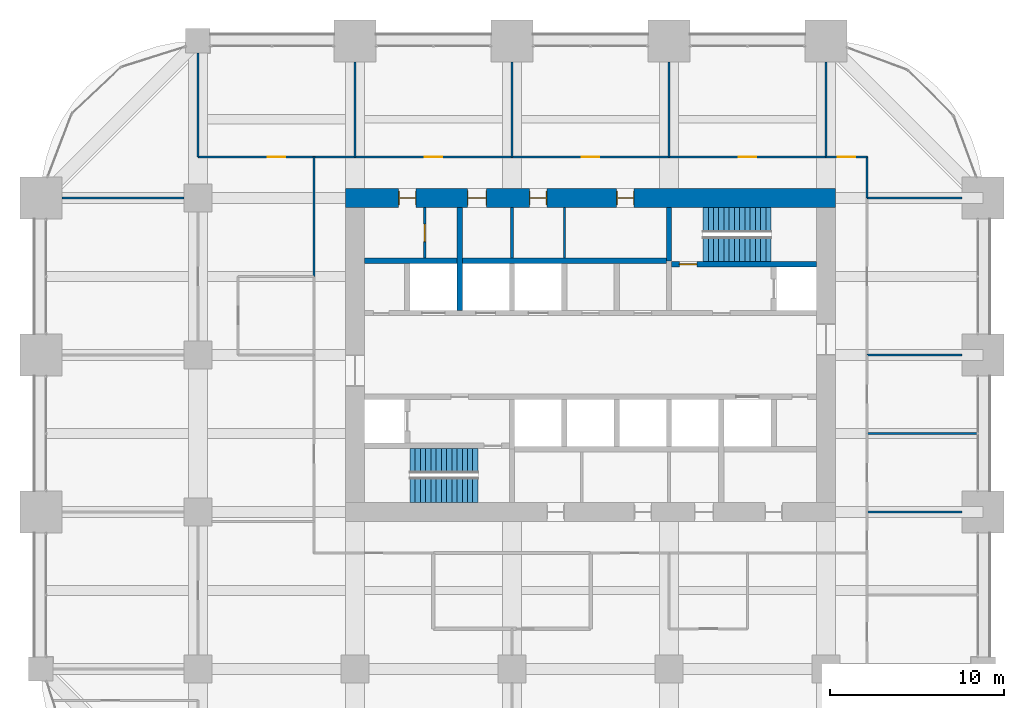
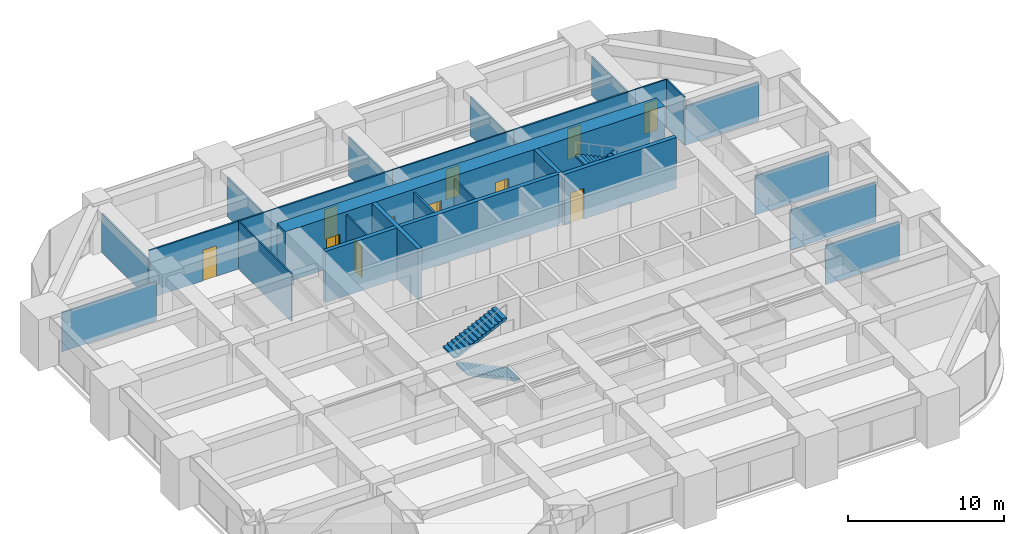
# One storey, part 31 of 32: 25 walls, 11 doors, 4 stair flights, 11 openings, 2 elements without a shape of their own.
"""IFC4 building model written with IfcOpenShell, lengths in metres."""

from ifc_helpers import new_model, si_unit, direction, frame, frame_2d, origin, place, context, subcontext, project, spatial, polyline, rectangle, outline, extrude, material, layer, layer_set, type_object, element, fill, aggregate, save


model = new_model("IFC4")

# Units and contexts
model_context = context("Model", 3, precision=1e-05, world=origin(), true_north=direction((0.0, 1.0)))
body_context = subcontext(model_context, "Body", "Model", "MODEL_VIEW")
ifc_project = project(units=[si_unit("LENGTHUNIT", "METRE"), si_unit("AREAUNIT", "SQUARE_METRE"), si_unit("VOLUMEUNIT", "CUBIC_METRE"), si_unit("PLANEANGLEUNIT", "RADIAN"), si_unit("MASSUNIT", "GRAM", prefix="KILO")], contexts=[model_context])

# Site, building, storey
site_placement = place(None, origin())
site = spatial("IfcSite", under=ifc_project, at=site_placement, CompositionType="ELEMENT")
building_placement = place(site_placement, origin())
building = spatial("IfcBuilding", under=site, at=building_placement, Name="Zorevar Civic Tower", CompositionType="ELEMENT")
storey_placement = place(building_placement, frame((0.0, 0.0, 186.199951171875)))
storey = spatial("IfcBuildingStorey", under=building, at=storey_placement, Name="L45", CompositionType="ELEMENT", Elevation=186.199951171875)

# Wall, openings, doors
ifc_material_1 = material(Name="Concrete C50/60", Category="concrete")
ifc_layer_1 = layer(ifc_material_1, 1.10009765625)
ifc_layer_set_1 = layer_set([ifc_layer_1], Name="Core wall 1100")
wall_type_1 = type_object("IfcWallType", Name="Core wall 1100", PredefinedType="SHEAR", material=ifc_layer_set_1)
wall_1_placement = place(storey_placement, frame((45.550048828125, 36.0, 0.0), z_axis=(0.0, 0.0, 1.0), x_axis=(-1.0, 0.0, 0.0)))
wall_1 = element("IfcWall", 1, at=wall_1_placement, inside=storey, type_object=wall_type_1, Name="Core wall N L45", PredefinedType="SHEAR", context=body_context, shape_type="SweptSolid", body=[
    extrude(rectangle(XDim=28.10009765625, YDim=1.10009765625, at=frame_2d((14.050048828125, 0.0))), origin(), (0.0, 0.0, 1.0), 4.0),
])
opening_1_placement = place(wall_1_placement, frame((11.550048828125, 0.0, 0.0)))
opening_1 = element("IfcOpeningElement", 2, at=opening_1_placement, cuts=wall_1, Name="Opening L45.07", PredefinedType="OPENING", context=body_context, shape_type="SweptSolid", body=[
    extrude(rectangle(XDim=1.0, YDim=2.39990234375, at=frame_2d((0.5, 1.199951171875))), frame((0.0, 0.56005859375, 0.0), z_axis=(0.0, -1.0, 0.0), x_axis=(1.0, 0.0, 0.0)), (0.0, 0.0, 1.0), 1.1201171875),
])
opening_2_placement = place(wall_1_placement, frame((16.550048828125, 0.0, 0.0)))
opening_2 = element("IfcOpeningElement", 3, at=opening_2_placement, cuts=wall_1, Name="Opening L45.08", PredefinedType="OPENING", context=body_context, shape_type="SweptSolid", body=[
    extrude(rectangle(XDim=1.0, YDim=2.39990234375, at=frame_2d((0.5, 1.199951171875))), frame((0.0, 0.56005859375, 0.0), z_axis=(0.0, -1.0, 0.0), x_axis=(1.0, 0.0, 0.0)), (0.0, 0.0, 1.0), 1.1201171875),
])
opening_3_placement = place(wall_1_placement, frame((20.0, 0.0, 0.0)))
opening_3 = element("IfcOpeningElement", 4, at=opening_3_placement, cuts=wall_1, Name="Opening L45.09", PredefinedType="OPENING", context=body_context, shape_type="SweptSolid", body=[
    extrude(rectangle(XDim=1.10009765625, YDim=2.39990234375, at=frame_2d((0.550048828125, 1.199951171875))), frame((0.0, 0.56005859375, 0.0), z_axis=(0.0, -1.0, 0.0), x_axis=(1.0, 0.0, 0.0)), (0.0, 0.0, 1.0), 1.1201171875),
])
opening_4_placement = place(wall_1_placement, frame((24.050048828125, 0.0, 0.0)))
opening_4 = element("IfcOpeningElement", 5, at=opening_4_placement, cuts=wall_1, Name="Opening L45.10", PredefinedType="OPENING", context=body_context, shape_type="SweptSolid", body=[
    extrude(rectangle(XDim=1.0, YDim=2.39990234375, at=frame_2d((0.5, 1.199951171875))), frame((0.0, 0.56005859375, 0.0), z_axis=(0.0, -1.0, 0.0), x_axis=(1.0, 0.0, 0.0)), (0.0, 0.0, 1.0), 1.1201171875),
])
ifc_material_2 = material(Name="Timber door set", Category="wood")
door_type_1 = type_object("IfcDoorType", Name="Door D1 1000x2400", OperationType="SINGLE_SWING_LEFT", PredefinedType="DOOR", material=ifc_material_2)
door_1_placement = place(opening_1_placement, origin())
door_1 = element("IfcDoor", 6, at=door_1_placement, inside=storey, type_object=door_type_1, Name="Door L45 06", OperationType="SINGLE_SWING_RIGHT", OverallHeight=2.39990234375, OverallWidth=1.0, PredefinedType="DOOR", context=body_context, shape_type="SweptSolid", body=[
    extrude(rectangle(XDim=1.0, YDim=2.39990234375, at=frame_2d((0.5, 1.199951171875))), frame((0.0, 0.02490234375, 0.0), z_axis=(0.0, -1.0, 0.0), x_axis=(1.0, 0.0, 0.0)), (0.0, 0.0, 1.0), 0.050048828125),
    extrude(rectangle(XDim=0.04, YDim=2.39990234375, at=frame_2d((0.02001953125, 1.199951171875))), frame((0.0, 0.39990234375, 0.0), z_axis=(0.0, -1.0, 0.0), x_axis=(1.0, 0.0, 0.0)), (0.0, 0.0, 1.0), 0.800048828125),
    extrude(rectangle(XDim=0.04, YDim=2.39990234375, at=frame_2d((0.97998046875, 1.199951171875))), frame((0.0, 0.39990234375, 0.0), z_axis=(0.0, -1.0, 0.0), x_axis=(1.0, 0.0, 0.0)), (0.0, 0.0, 1.0), 0.800048828125),
    extrude(rectangle(XDim=1.0, YDim=0.04, at=frame_2d((0.5, 2.3798828125))), frame((0.0, 0.39990234375, 0.0), z_axis=(0.0, -1.0, 0.0), x_axis=(1.0, 0.0, 0.0)), (0.0, 0.0, 1.0), 0.800048828125),
])
fill(opening_1, door_1)
door_2_placement = place(opening_2_placement, origin())
door_2 = element("IfcDoor", 7, at=door_2_placement, inside=storey, type_object=door_type_1, Name="Door L45 07", OperationType="SINGLE_SWING_LEFT", OverallHeight=2.39990234375, OverallWidth=1.0, PredefinedType="DOOR", context=body_context, shape_type="SweptSolid", body=[
    extrude(rectangle(XDim=1.0, YDim=2.39990234375, at=frame_2d((0.5, 1.199951171875))), frame((0.0, 0.02490234375, 0.0), z_axis=(0.0, -1.0, 0.0), x_axis=(1.0, 0.0, 0.0)), (0.0, 0.0, 1.0), 0.050048828125),
    extrude(rectangle(XDim=0.04, YDim=2.39990234375, at=frame_2d((0.02001953125, 1.199951171875))), frame((0.0, 0.39990234375, 0.0), z_axis=(0.0, -1.0, 0.0), x_axis=(1.0, 0.0, 0.0)), (0.0, 0.0, 1.0), 0.800048828125),
    extrude(rectangle(XDim=0.04, YDim=2.39990234375, at=frame_2d((0.97998046875, 1.199951171875))), frame((0.0, 0.39990234375, 0.0), z_axis=(0.0, -1.0, 0.0), x_axis=(1.0, 0.0, 0.0)), (0.0, 0.0, 1.0), 0.800048828125),
    extrude(rectangle(XDim=1.0, YDim=0.04, at=frame_2d((0.5, 2.3798828125))), frame((0.0, 0.39990234375, 0.0), z_axis=(0.0, -1.0, 0.0), x_axis=(1.0, 0.0, 0.0)), (0.0, 0.0, 1.0), 0.800048828125),
])
fill(opening_2, door_2)
door_3_placement = place(opening_4_placement, origin())
door_3 = element("IfcDoor", 8, at=door_3_placement, inside=storey, type_object=door_type_1, Name="Door L45 09", OperationType="SINGLE_SWING_LEFT", OverallHeight=2.39990234375, OverallWidth=1.0, PredefinedType="DOOR", context=body_context, shape_type="SweptSolid", body=[
    extrude(rectangle(XDim=1.0, YDim=2.39990234375, at=frame_2d((0.5, 1.199951171875))), frame((0.0, 0.02490234375, 0.0), z_axis=(0.0, -1.0, 0.0), x_axis=(1.0, 0.0, 0.0)), (0.0, 0.0, 1.0), 0.050048828125),
    extrude(rectangle(XDim=0.04, YDim=2.39990234375, at=frame_2d((0.02001953125, 1.199951171875))), frame((0.0, 0.39990234375, 0.0), z_axis=(0.0, -1.0, 0.0), x_axis=(1.0, 0.0, 0.0)), (0.0, 0.0, 1.0), 0.800048828125),
    extrude(rectangle(XDim=0.04, YDim=2.39990234375, at=frame_2d((0.97998046875, 1.199951171875))), frame((0.0, 0.39990234375, 0.0), z_axis=(0.0, -1.0, 0.0), x_axis=(1.0, 0.0, 0.0)), (0.0, 0.0, 1.0), 0.800048828125),
    extrude(rectangle(XDim=1.0, YDim=0.04, at=frame_2d((0.5, 2.3798828125))), frame((0.0, 0.39990234375, 0.0), z_axis=(0.0, -1.0, 0.0), x_axis=(1.0, 0.0, 0.0)), (0.0, 0.0, 1.0), 0.800048828125),
])
fill(opening_4, door_3)
ifc_material_3 = material(Name="Timber door set", Category="wood")
door_type_2 = type_object("IfcDoorType", Name="Door D5 1100x2400", OperationType="SINGLE_SWING_LEFT", PredefinedType="DOOR", material=ifc_material_3)
door_4_placement = place(opening_3_placement, origin())
door_4 = element("IfcDoor", 9, at=door_4_placement, inside=storey, type_object=door_type_2, Name="Door L45 08", OperationType="SINGLE_SWING_LEFT", OverallHeight=2.39990234375, OverallWidth=1.10009765625, PredefinedType="DOOR", context=body_context, shape_type="SweptSolid", body=[
    extrude(rectangle(XDim=1.10009765625, YDim=2.39990234375, at=frame_2d((0.550048828125, 1.199951171875))), frame((0.0, 0.02490234375, 0.0), z_axis=(0.0, -1.0, 0.0), x_axis=(1.0, 0.0, 0.0)), (0.0, 0.0, 1.0), 0.050048828125),
    extrude(rectangle(XDim=0.04, YDim=2.39990234375, at=frame_2d((0.02001953125, 1.199951171875))), frame((0.0, 0.43994140625, 0.0), z_axis=(0.0, -1.0, 0.0), x_axis=(1.0, 0.0, 0.0)), (0.0, 0.0, 1.0), 0.880126953125),
    extrude(rectangle(XDim=0.04, YDim=2.39990234375, at=frame_2d((1.080078125, 1.199951171875))), frame((0.0, 0.43994140625, 0.0), z_axis=(0.0, -1.0, 0.0), x_axis=(1.0, 0.0, 0.0)), (0.0, 0.0, 1.0), 0.880126953125),
    extrude(rectangle(XDim=1.10009765625, YDim=0.04, at=frame_2d((0.550048828125, 2.3798828125))), frame((0.0, 0.43994140625, 0.0), z_axis=(0.0, -1.0, 0.0), x_axis=(1.0, 0.0, 0.0)), (0.0, 0.0, 1.0), 0.880126953125),
])
fill(opening_3, door_4)

# Wall, opening, door
ifc_material_4 = material(Name="Laminated glass in black aluminium frame", Category="aluminium")
ifc_layer_2 = layer(ifc_material_4, 0.10009765625)
ifc_layer_set_2 = layer_set([ifc_layer_2], Name="Glazed partition 100")
wall_type_2 = type_object("IfcWallType", Name="Glazed partition 100", PredefinedType="PARTITIONING", material=ifc_layer_set_2)
wall_2_placement = place(storey_placement, frame((27.0, 38.35009765625, 0.0), z_axis=(0.0, 0.0, 1.0), x_axis=(1.0, 0.0, 0.0)))
wall_2 = element("IfcWall", 10, at=wall_2_placement, inside=storey, type_object=wall_type_2, Name="Glazed partition 100 L45", PredefinedType="PARTITIONING", context=body_context, shape_type="SweptSolid", body=[
    extrude(rectangle(XDim=9.0, YDim=0.10009765625, at=frame_2d((4.5, 0.0))), origin(), (0.0, 0.0, 1.0), 3.75),
])
opening_5_placement = place(wall_2_placement, frame((4.0, 0.0, 0.0)))
opening_5 = element("IfcOpeningElement", 11, at=opening_5_placement, cuts=wall_2, Name="Opening L45.25", PredefinedType="OPENING", context=body_context, shape_type="SweptSolid", body=[
    extrude(rectangle(XDim=1.0, YDim=2.39990234375, at=frame_2d((0.5, 1.199951171875))), frame((0.0, 0.06005859375, 0.0), z_axis=(0.0, -1.0, 0.0), x_axis=(1.0, 0.0, 0.0)), (0.0, 0.0, 1.0), 0.1201171875),
])
ifc_material_5 = material(Name="Timber door set", Category="wood")
door_type_3 = type_object("IfcDoorType", Name="Glazed door GD1 1000x2400", OperationType="SINGLE_SWING_LEFT", PredefinedType="DOOR", material=ifc_material_5)
door_5_placement = place(opening_5_placement, origin())
door_5 = element("IfcDoor", 12, at=door_5_placement, inside=storey, type_object=door_type_3, Name="Door L45 D1", OperationType="SINGLE_SWING_RIGHT", OverallHeight=2.39990234375, OverallWidth=1.0, PredefinedType="DOOR", context=body_context, shape_type="SweptSolid", body=[
    extrude(rectangle(XDim=1.0, YDim=2.39990234375, at=frame_2d((0.5, 1.199951171875))), frame((0.0, 0.02001953125, 0.0), z_axis=(0.0, -1.0, 0.0), x_axis=(1.0, 0.0, 0.0)), (0.0, 0.0, 1.0), 0.0400390625),
])
fill(opening_5, door_5)

wall_3_placement = place(storey_placement, frame((45.0, 38.35009765625, 0.0), z_axis=(0.0, 0.0, 1.0), x_axis=(1.0, 0.0, 0.0)))
wall_3 = element("IfcWall", 13, at=wall_3_placement, inside=storey, type_object=wall_type_2, Name="Glazed partition 100 L45", PredefinedType="PARTITIONING", context=body_context, shape_type="SweptSolid", body=[
    extrude(rectangle(XDim=2.35009765625, YDim=0.10009765625, at=frame_2d((1.175048828125, 0.0))), origin(), (0.0, 0.0, 1.0), 3.75),
])
opening_6_placement = place(wall_3_placement, frame((0.675048828125, 0.0, 0.0)))
opening_6 = element("IfcOpeningElement", 14, at=opening_6_placement, cuts=wall_3, Name="Opening L45.26", PredefinedType="OPENING", context=body_context, shape_type="SweptSolid", body=[
    extrude(rectangle(XDim=1.0, YDim=2.39990234375, at=frame_2d((0.5, 1.199951171875))), frame((0.0, 0.06005859375, 0.0), z_axis=(0.0, -1.0, 0.0), x_axis=(1.0, 0.0, 0.0)), (0.0, 0.0, 1.0), 0.1201171875),
])
door_6_placement = place(opening_6_placement, origin())
door_6 = element("IfcDoor", 15, at=door_6_placement, inside=storey, type_object=door_type_3, Name="Door L45 D1", OperationType="SINGLE_SWING_RIGHT", OverallHeight=2.39990234375, OverallWidth=1.0, PredefinedType="DOOR", context=body_context, shape_type="SweptSolid", body=[
    extrude(rectangle(XDim=1.0, YDim=2.39990234375, at=frame_2d((0.5, 1.199951171875))), frame((0.0, 0.02001953125, 0.0), z_axis=(0.0, -1.0, 0.0), x_axis=(1.0, 0.0, 0.0)), (0.0, 0.0, 1.0), 0.0400390625),
])
fill(opening_6, door_6)

# Walls
wall_4_placement = place(storey_placement, frame((15.64990234375, 31.5, 0.0), z_axis=(0.0, 0.0, 1.0), x_axis=(0.0, 1.0, 0.0)))
element("IfcWall", 16, at=wall_4_placement, inside=storey, type_object=wall_type_2, Name="Glazed partition 100 L45", PredefinedType="PARTITIONING", context=body_context, shape_type="SweptSolid", body=[
    extrude(rectangle(XDim=6.85009765625, YDim=0.10009765625, at=frame_2d((3.425048828125, 0.0))), origin(), (0.0, 0.0, 1.0), 3.75),
])
wall_5_placement = place(storey_placement, frame((47.35009765625, 36.0, 0.0), z_axis=(0.0, 0.0, 1.0), x_axis=(0.0, 1.0, 0.0)))
element("IfcWall", 17, at=wall_5_placement, inside=storey, type_object=wall_type_2, Name="Glazed partition 100 L45", PredefinedType="PARTITIONING", context=body_context, shape_type="SweptSolid", body=[
    extrude(rectangle(XDim=2.35009765625, YDim=0.10009765625, at=frame_2d((1.175048828125, 0.0))), origin(), (0.0, 0.0, 1.0), 3.75),
])

# Wall, opening, door
ifc_material_6 = material(Name="Concrete C40/50", Category="concrete")
ifc_layer_3 = layer(ifc_material_6, 0.300048828125)
ifc_layer_set_3 = layer_set([ifc_layer_3], Name="Inner core wall 300")
wall_type_3 = type_object("IfcWallType", Name="Inner core wall 300", PredefinedType="SHEAR", material=ifc_layer_set_3)
wall_6_placement = place(storey_placement, frame((36.14990234375, 32.199951171875, 0.0), z_axis=(0.0, 0.0, 1.0), x_axis=(1.0, 0.0, 0.0)))
wall_6 = element("IfcWall", 18, at=wall_6_placement, inside=storey, type_object=wall_type_3, Name="Inner core wall N00 L45", PredefinedType="SHEAR", context=body_context, shape_type="SweptSolid", body=[
    extrude(rectangle(XDim=8.300048828125, YDim=0.300048828125, at=frame_2d((4.14990234375, 0.0))), origin(), (0.0, 0.0, 1.0), 4.0),
])
opening_7_placement = place(wall_6_placement, frame((0.449951171875, 0.0, 0.0)))
opening_7 = element("IfcOpeningElement", 19, at=opening_7_placement, cuts=wall_6, Name="Opening L45.12", PredefinedType="OPENING", context=body_context, shape_type="SweptSolid", body=[
    extrude(rectangle(XDim=1.0, YDim=2.39990234375, at=frame_2d((0.5, 1.199951171875))), frame((0.0, 0.159912109375, 0.0), z_axis=(0.0, -1.0, 0.0), x_axis=(1.0, 0.0, 0.0)), (0.0, 0.0, 1.0), 0.320068359375),
])
ifc_material_7 = material(Name="Steel door set", Category="steel")
door_type_4 = type_object("IfcDoorType", Name="Fire door FD1 1000x2400", OperationType="SINGLE_SWING_LEFT", PredefinedType="DOOR", material=ifc_material_7)
door_7_placement = place(opening_7_placement, origin())
door_7 = element("IfcDoor", 20, at=door_7_placement, inside=storey, type_object=door_type_4, Name="Door L45 11", OperationType="SINGLE_SWING_RIGHT", OverallHeight=2.39990234375, OverallWidth=1.0, PredefinedType="DOOR", context=body_context, shape_type="SweptSolid", body=[
    extrude(rectangle(XDim=1.0, YDim=2.39990234375, at=frame_2d((0.5, 1.199951171875))), frame((0.0, 0.030029296875, 0.0), z_axis=(0.0, -1.0, 0.0), x_axis=(1.0, 0.0, 0.0)), (0.0, 0.0, 1.0), 0.06005859375),
])
fill(opening_7, door_7)

# Walls
wall_7_placement = place(storey_placement, frame((36.0, 32.39990234375, 0.0), z_axis=(0.0, 0.0, 1.0), x_axis=(0.0, 1.0, 0.0)))
element("IfcWall", 21, at=wall_7_placement, inside=storey, type_object=wall_type_3, Name="Inner core wall N01 L45", PredefinedType="SHEAR", context=body_context, shape_type="SweptSolid", body=[
    extrude(rectangle(XDim=3.050048828125, YDim=0.300048828125, at=frame_2d((1.52490234375, 0.0))), origin(), (0.0, 0.0, 1.0), 4.0),
])
wall_8_placement = place(storey_placement, frame((18.550048828125, 32.39990234375, 0.0), z_axis=(0.0, 0.0, 1.0), x_axis=(1.0, 0.0, 0.0)))
element("IfcWall", 22, at=wall_8_placement, inside=storey, type_object=wall_type_3, Name="Inner core wall N04 L45", PredefinedType="SHEAR", context=body_context, shape_type="SweptSolid", body=[
    extrude(rectangle(XDim=17.300048828125, YDim=0.300048828125, at=frame_2d((8.64990234375, 0.0))), origin(), (0.0, 0.0, 1.0), 4.0),
])
wall_9_placement = place(storey_placement, frame((24.0, 29.550048828125, 0.0), z_axis=(0.0, 0.0, 1.0), x_axis=(0.0, 1.0, 0.0)))
element("IfcWall", 23, at=wall_9_placement, inside=storey, type_object=wall_type_3, Name="Inner core wall N08 L45", PredefinedType="SHEAR", context=body_context, shape_type="SweptSolid", body=[
    extrude(rectangle(XDim=5.89990234375, YDim=0.300048828125, at=frame_2d((2.949951171875, 0.0))), origin(), (0.0, 0.0, 1.0), 4.0),
])
ifc_material_8 = material(Name="Gypsum board on steel studs", Category="steel")
ifc_layer_4 = layer(ifc_material_8, 0.1201171875)
ifc_layer_set_4 = layer_set([ifc_layer_4], Name="Partition 120")
wall_type_4 = type_object("IfcWallType", Name="Partition 120", PredefinedType="PARTITIONING", material=ifc_layer_set_4)
wall_10_placement = place(storey_placement, frame((47.35009765625, 18.0, 0.0), z_axis=(0.0, 0.0, 1.0), x_axis=(1.0, 0.0, 0.0)))
element("IfcWall", 24, at=wall_10_placement, inside=storey, type_object=wall_type_4, Name="Partition 120 L45", PredefinedType="PARTITIONING", context=body_context, shape_type="SweptSolid", body=[
    extrude(rectangle(XDim=5.449951171875, YDim=0.1201171875, at=frame_2d((2.72509765625, 0.0))), origin(), (0.0, 0.0, 1.0), 3.050048828125),
])
wall_11_placement = place(storey_placement, frame((47.35009765625, 22.5, 0.0), z_axis=(0.0, 0.0, 1.0), x_axis=(1.0, 0.0, 0.0)))
element("IfcWall", 25, at=wall_11_placement, inside=storey, type_object=wall_type_4, Name="Partition 120 L45", PredefinedType="PARTITIONING", context=body_context, shape_type="SweptSolid", body=[
    extrude(rectangle(XDim=6.33984375, YDim=0.1201171875, at=frame_2d((3.169921875, 0.0))), origin(), (0.0, 0.0, 1.0), 3.10009765625),
])
for number, where, z_axis, x_axis, name in (
    (26, (47.35009765625, 27.0, 0.0), (0.0, 0.0, 1.0), (1.0, 0.0, 0.0), "Partition 120 L45"),
    (27, (47.35009765625, 36.0, 0.0), (0.0, 0.0, 1.0), (1.0, 0.0, 0.0), "Partition 120 L45"),
):
    element("IfcWall", number, at=place(storey_placement, frame(where, z_axis=z_axis, x_axis=x_axis)), inside=storey, type_object=wall_type_4, Name=name, PredefinedType="PARTITIONING", context=body_context, shape_type="SweptSolid", body=[
        extrude(rectangle(XDim=5.449951171875, YDim=0.1201171875, at=frame_2d((2.72509765625, 0.0))), origin(), (0.0, 0.0, 1.0), 3.050048828125),
    ])
wall_12_placement = place(storey_placement, frame((1.199951171875, 36.0, 0.0), z_axis=(0.0, 0.0, 1.0), x_axis=(1.0, 0.0, 0.0)))
element("IfcWall", 28, at=wall_12_placement, inside=storey, type_object=wall_type_4, Name="Partition 120 L45", PredefinedType="PARTITIONING", context=body_context, shape_type="SweptSolid", body=[
    extrude(rectangle(XDim=7.0, YDim=0.1201171875, at=frame_2d((3.5, 0.0))), origin(), (0.0, 0.0, 1.0), 3.050048828125),
])

# Wall, opening, door
wall_13_placement = place(storey_placement, frame((9.0, 38.35009765625, 0.0), z_axis=(0.0, 0.0, 1.0), x_axis=(1.0, 0.0, 0.0)))
wall_13 = element("IfcWall", 29, at=wall_13_placement, inside=storey, type_object=wall_type_4, Name="Partition 120 L45", PredefinedType="PARTITIONING", context=body_context, shape_type="SweptSolid", body=[
    extrude(rectangle(XDim=9.0, YDim=0.1201171875, at=frame_2d((4.5, 0.0))), origin(), (0.0, 0.0, 1.0), 3.75),
])
opening_8_placement = place(wall_13_placement, frame((4.0, 0.0, 0.0)))
opening_8 = element("IfcOpeningElement", 30, at=opening_8_placement, cuts=wall_13, Name="Opening L45.22", PredefinedType="OPENING", context=body_context, shape_type="SweptSolid", body=[
    extrude(rectangle(XDim=1.0, YDim=2.39990234375, at=frame_2d((0.5, 1.199951171875))), frame((0.0, 0.070068359375, 0.0), z_axis=(0.0, -1.0, 0.0), x_axis=(1.0, 0.0, 0.0)), (0.0, 0.0, 1.0), 0.14013671875),
])
door_8_placement = place(opening_8_placement, origin())
door_8 = element("IfcDoor", 31, at=door_8_placement, inside=storey, type_object=door_type_1, Name="Door L45 D1", OperationType="SINGLE_SWING_RIGHT", OverallHeight=2.39990234375, OverallWidth=1.0, PredefinedType="DOOR", context=body_context, shape_type="SweptSolid", body=[
    extrude(rectangle(XDim=1.0, YDim=2.39990234375, at=frame_2d((0.5, 1.199951171875))), frame((0.0, 0.02490234375, 0.0), z_axis=(0.0, -1.0, 0.0), x_axis=(1.0, 0.0, 0.0)), (0.0, 0.0, 1.0), 0.050048828125),
])
fill(opening_8, door_8)

wall_14_placement = place(storey_placement, frame((18.0, 38.35009765625, 0.0), z_axis=(0.0, 0.0, 1.0), x_axis=(1.0, 0.0, 0.0)))
wall_14 = element("IfcWall", 32, at=wall_14_placement, inside=storey, type_object=wall_type_4, Name="Partition 120 L45", PredefinedType="PARTITIONING", context=body_context, shape_type="SweptSolid", body=[
    extrude(rectangle(XDim=9.0, YDim=0.1201171875, at=frame_2d((4.5, 0.0))), origin(), (0.0, 0.0, 1.0), 3.75),
])
opening_9_placement = place(wall_14_placement, frame((4.0, 0.0, 0.0)))
opening_9 = element("IfcOpeningElement", 33, at=opening_9_placement, cuts=wall_14, Name="Opening L45.23", PredefinedType="OPENING", context=body_context, shape_type="SweptSolid", body=[
    extrude(rectangle(XDim=1.0, YDim=2.39990234375, at=frame_2d((0.5, 1.199951171875))), frame((0.0, 0.070068359375, 0.0), z_axis=(0.0, -1.0, 0.0), x_axis=(1.0, 0.0, 0.0)), (0.0, 0.0, 1.0), 0.14013671875),
])
door_9_placement = place(opening_9_placement, origin())
door_9 = element("IfcDoor", 34, at=door_9_placement, inside=storey, type_object=door_type_1, Name="Door L45 D1", OperationType="SINGLE_SWING_RIGHT", OverallHeight=2.39990234375, OverallWidth=1.0, PredefinedType="DOOR", context=body_context, shape_type="SweptSolid", body=[
    extrude(rectangle(XDim=1.0, YDim=2.39990234375, at=frame_2d((0.5, 1.199951171875))), frame((0.0, 0.02490234375, 0.0), z_axis=(0.0, -1.0, 0.0), x_axis=(1.0, 0.0, 0.0)), (0.0, 0.0, 1.0), 0.050048828125),
])
fill(opening_9, door_9)

wall_15_placement = place(storey_placement, frame((36.0, 38.35009765625, 0.0), z_axis=(0.0, 0.0, 1.0), x_axis=(1.0, 0.0, 0.0)))
wall_15 = element("IfcWall", 35, at=wall_15_placement, inside=storey, type_object=wall_type_4, Name="Partition 120 L45", PredefinedType="PARTITIONING", context=body_context, shape_type="SweptSolid", body=[
    extrude(rectangle(XDim=9.0, YDim=0.1201171875, at=frame_2d((4.5, 0.0))), origin(), (0.0, 0.0, 1.0), 3.75),
])
opening_10_placement = place(wall_15_placement, frame((4.0, 0.0, 0.0)))
opening_10 = element("IfcOpeningElement", 36, at=opening_10_placement, cuts=wall_15, Name="Opening L45.24", PredefinedType="OPENING", context=body_context, shape_type="SweptSolid", body=[
    extrude(rectangle(XDim=1.0, YDim=2.39990234375, at=frame_2d((0.5, 1.199951171875))), frame((0.0, 0.070068359375, 0.0), z_axis=(0.0, -1.0, 0.0), x_axis=(1.0, 0.0, 0.0)), (0.0, 0.0, 1.0), 0.14013671875),
])
door_10_placement = place(opening_10_placement, origin())
door_10 = element("IfcDoor", 37, at=door_10_placement, inside=storey, type_object=door_type_1, Name="Door L45 D1", OperationType="SINGLE_SWING_LEFT", OverallHeight=2.39990234375, OverallWidth=1.0, PredefinedType="DOOR", context=body_context, shape_type="SweptSolid", body=[
    extrude(rectangle(XDim=1.0, YDim=2.39990234375, at=frame_2d((0.5, 1.199951171875))), frame((0.0, 0.02490234375, 0.0), z_axis=(0.0, -1.0, 0.0), x_axis=(1.0, 0.0, 0.0)), (0.0, 0.0, 1.0), 0.050048828125),
])
fill(opening_10, door_10)

# Walls
wall_16_placement = place(storey_placement, frame((9.0, 38.35009765625, 0.0), z_axis=(0.0, 0.0, 1.0), x_axis=(0.0, 1.0, 0.0)))
element("IfcWall", 38, at=wall_16_placement, inside=storey, type_object=wall_type_4, Name="Partition 120 L45", PredefinedType="PARTITIONING", context=body_context, shape_type="SweptSolid", body=[
    extrude(rectangle(XDim=5.949951171875, YDim=0.1201171875, at=frame_2d((2.97509765625, 0.0))), origin(), (0.0, 0.0, 1.0), 3.050048828125),
])
for number, where, z_axis, x_axis, name in (
    (39, (18.0, 38.35009765625, 0.0), (0.0, 0.0, 1.0), (0.0, 1.0, 0.0), "Partition 120 L45"),
    (40, (27.0, 38.35009765625, 0.0), (0.0, 0.0, 1.0), (0.0, 1.0, 0.0), "Partition 120 L45"),
    (41, (36.0, 38.35009765625, 0.0), (0.0, 0.0, 1.0), (0.0, 1.0, 0.0), "Partition 120 L45"),
    (42, (45.0, 38.35009765625, 0.0), (0.0, 0.0, 1.0), (0.0, 1.0, 0.0), "Partition 120 L45"),
):
    element("IfcWall", number, at=place(storey_placement, frame(where, z_axis=z_axis, x_axis=x_axis)), inside=storey, type_object=wall_type_4, Name=name, PredefinedType="PARTITIONING", context=body_context, shape_type="SweptSolid", body=[
        extrude(rectangle(XDim=5.449951171875, YDim=0.1201171875, at=frame_2d((2.72509765625, 0.0))), origin(), (0.0, 0.0, 1.0), 3.050048828125),
    ])
wall_17_placement = place(storey_placement, frame((30.0, 32.550048828125, 0.0), z_axis=(0.0, 0.0, 1.0), x_axis=(0.0, 1.0, 0.0)))
element("IfcWall", 43, at=wall_17_placement, inside=storey, type_object=wall_type_4, Name="Partition L45", PredefinedType="PARTITIONING", context=body_context, shape_type="SweptSolid", body=[
    extrude(rectangle(XDim=2.89990234375, YDim=0.1201171875, at=frame_2d((1.449951171875, 0.0))), origin(), (0.0, 0.0, 1.0), 3.75),
])

# Wall, opening, door
wall_18_placement = place(storey_placement, frame((22.0, 32.550048828125, 0.0), z_axis=(0.0, 0.0, 1.0), x_axis=(0.0, 1.0, 0.0)))
wall_18 = element("IfcWall", 44, at=wall_18_placement, inside=storey, type_object=wall_type_4, Name="Partition L45", PredefinedType="PARTITIONING", context=body_context, shape_type="SweptSolid", body=[
    extrude(rectangle(XDim=2.89990234375, YDim=0.1201171875, at=frame_2d((1.449951171875, 0.0))), origin(), (0.0, 0.0, 1.0), 3.75),
])
opening_11_placement = place(wall_18_placement, frame((0.949951171875, 0.0, 0.0)))
opening_11 = element("IfcOpeningElement", 45, at=opening_11_placement, cuts=wall_18, Name="Opening L45.36", PredefinedType="OPENING", context=body_context, shape_type="SweptSolid", body=[
    extrude(rectangle(XDim=1.0, YDim=2.39990234375, at=frame_2d((0.5, 1.199951171875))), frame((0.0, 0.070068359375, 0.0), z_axis=(0.0, -1.0, 0.0), x_axis=(1.0, 0.0, 0.0)), (0.0, 0.0, 1.0), 0.14013671875),
])
door_11_placement = place(opening_11_placement, origin())
door_11 = element("IfcDoor", 46, at=door_11_placement, inside=storey, type_object=door_type_4, Name="Door L45 EN", OperationType="SINGLE_SWING_RIGHT", OverallHeight=2.39990234375, OverallWidth=1.0, PredefinedType="DOOR", context=body_context, shape_type="SweptSolid", body=[
    extrude(rectangle(XDim=1.0, YDim=2.39990234375, at=frame_2d((0.5, 1.199951171875))), frame((0.0, 0.030029296875, 0.0), z_axis=(0.0, -1.0, 0.0), x_axis=(1.0, 0.0, 0.0)), (0.0, 0.0, 1.0), 0.06005859375),
])
fill(opening_11, door_11)

# Wall
ifc_material_9 = material(Name="Gypsum board on steel studs, moisture resistant", Category="steel")
ifc_layer_5 = layer(ifc_material_9, 0.14990234375)
ifc_layer_set_5 = layer_set([ifc_layer_5], Name="WC partition 150")
wall_type_5 = type_object("IfcWallType", Name="WC partition 150", PredefinedType="PARTITIONING", material=ifc_layer_set_5)
wall_19_placement = place(storey_placement, frame((27.0, 32.550048828125, 0.0), z_axis=(0.0, 0.0, 1.0), x_axis=(0.0, 1.0, 0.0)))
element("IfcWall", 47, at=wall_19_placement, inside=storey, type_object=wall_type_5, Name="WC partition L45", PredefinedType="PARTITIONING", context=body_context, shape_type="SweptSolid", body=[
    extrude(rectangle(XDim=2.89990234375, YDim=0.14990234375, at=frame_2d((1.449951171875, 0.0))), origin(), (0.0, 0.0, 1.0), 3.75),
])

# Stair, stair flights
ifc_material_10 = material(Name="Precast concrete C40/50", Category="concrete")
stair_type = type_object("IfcStairType", Name="Stair ST 28R", PredefinedType="HALF_TURN_STAIR", material=ifc_material_10)
stair_1_placement = place(storey_placement, origin())
stair_1 = element("IfcStair", 48, at=stair_1_placement, inside=storey, type_object=stair_type, Name="Stair ST1 L45", PredefinedType="HALF_TURN_STAIR")
ifc_material_11 = material(Name="Precast concrete C40/50", Category="concrete")
stair_flight_type = type_object("IfcStairFlightType", Name="Stair flight", PredefinedType="STRAIGHT", material=ifc_material_11)
stair_flight_1_placement = place(storey_placement, frame((25.050048828125, 19.262451171875, 0.0), z_axis=(0.0, 0.0, 1.0), x_axis=(-1.0, 0.0, 0.0)))
stair_flight_1 = element("IfcStairFlight", 49, at=stair_flight_1_placement, type_object=stair_flight_type, Name="ST1 flight 1", NumberOfRisers=14, NumberOfTreads=13, PredefinedType="STRAIGHT", RiserHeight=0.142857143, TreadLength=0.3, context=body_context, shape_type="SweptSolid", body=[
    extrude(outline(polyline([(0.0, 0.0), (0.0, 0.142822265625), (0.300048828125, 0.142822265625), (0.300048828125, 0.28564453125), (0.60009765625, 0.28564453125), (0.60009765625, 0.428466796875), (0.89990234375, 0.428466796875), (0.89990234375, 0.571533203125), (1.199951171875, 0.571533203125), (1.199951171875, 0.71435546875), (1.5, 0.71435546875), (1.5, 0.857177734375), (1.800048828125, 0.857177734375), (1.800048828125, 1.0), (2.10009765625, 1.0), (2.10009765625, 1.142822265625), (2.39990234375, 1.142822265625), (2.39990234375, 1.28564453125), (2.699951171875, 1.28564453125), (2.699951171875, 1.428466796875), (3.0, 1.428466796875), (3.0, 1.571533203125), (3.300048828125, 1.571533203125), (3.300048828125, 1.71435546875), (3.60009765625, 1.71435546875), (3.60009765625, 1.857177734375), (3.89990234375, 1.857177734375), (3.89990234375, 2.0), (3.89990234375, 1.691162109375), (0.3486328125, 0.0), (0.0, 0.0)])), frame((0.0, 0.71240234375, 0.0), z_axis=(0.0, -1.0, 0.0), x_axis=(1.0, 0.0, 0.0)), (0.0, 0.0, 1.0), 1.425048828125),
])
stair_flight_2_placement = place(storey_placement, frame((21.14990234375, 20.9375, 2.0), z_axis=(0.0, 0.0, 1.0), x_axis=(1.0, 0.0, 0.0)))
stair_flight_2 = element("IfcStairFlight", 50, at=stair_flight_2_placement, type_object=stair_flight_type, Name="ST1 flight 2", NumberOfRisers=14, NumberOfTreads=13, PredefinedType="STRAIGHT", RiserHeight=0.142857143, TreadLength=0.3, context=body_context, shape_type="SweptSolid", body=[
    extrude(outline(polyline([(0.0, 0.0), (0.0, 0.142822265625), (0.300048828125, 0.142822265625), (0.300048828125, 0.28564453125), (0.60009765625, 0.28564453125), (0.60009765625, 0.428466796875), (0.89990234375, 0.428466796875), (0.89990234375, 0.571533203125), (1.199951171875, 0.571533203125), (1.199951171875, 0.71435546875), (1.5, 0.71435546875), (1.5, 0.857177734375), (1.800048828125, 0.857177734375), (1.800048828125, 1.0), (2.10009765625, 1.0), (2.10009765625, 1.142822265625), (2.39990234375, 1.142822265625), (2.39990234375, 1.28564453125), (2.699951171875, 1.28564453125), (2.699951171875, 1.428466796875), (3.0, 1.428466796875), (3.0, 1.571533203125), (3.300048828125, 1.571533203125), (3.300048828125, 1.71435546875), (3.60009765625, 1.71435546875), (3.60009765625, 1.857177734375), (3.89990234375, 1.857177734375), (3.89990234375, 2.0), (3.89990234375, 1.691162109375), (0.3486328125, 0.0), (0.0, 0.0)])), frame((0.0, 0.71240234375, 0.0), z_axis=(0.0, -1.0, 0.0), x_axis=(1.0, 0.0, 0.0)), (0.0, 0.0, 1.0), 1.425048828125),
])
aggregate(stair_1, [stair_flight_1, stair_flight_2])

stair_2_placement = place(storey_placement, origin())
stair_2 = element("IfcStair", 51, at=stair_2_placement, inside=storey, type_object=stair_type, Name="Stair ST2 L45", PredefinedType="HALF_TURN_STAIR")
stair_flight_3_placement = place(storey_placement, frame((37.949951171875, 34.737548828125, 0.0), z_axis=(0.0, 0.0, 1.0), x_axis=(1.0, 0.0, 0.0)))
stair_flight_3 = element("IfcStairFlight", 52, at=stair_flight_3_placement, type_object=stair_flight_type, Name="ST2 flight 1", NumberOfRisers=14, NumberOfTreads=13, PredefinedType="STRAIGHT", RiserHeight=0.142857143, TreadLength=0.3, context=body_context, shape_type="SweptSolid", body=[
    extrude(outline(polyline([(0.0, 0.0), (0.0, 0.142822265625), (0.300048828125, 0.142822265625), (0.300048828125, 0.28564453125), (0.60009765625, 0.28564453125), (0.60009765625, 0.428466796875), (0.89990234375, 0.428466796875), (0.89990234375, 0.571533203125), (1.199951171875, 0.571533203125), (1.199951171875, 0.71435546875), (1.5, 0.71435546875), (1.5, 0.857177734375), (1.800048828125, 0.857177734375), (1.800048828125, 1.0), (2.10009765625, 1.0), (2.10009765625, 1.142822265625), (2.39990234375, 1.142822265625), (2.39990234375, 1.28564453125), (2.699951171875, 1.28564453125), (2.699951171875, 1.428466796875), (3.0, 1.428466796875), (3.0, 1.571533203125), (3.300048828125, 1.571533203125), (3.300048828125, 1.71435546875), (3.60009765625, 1.71435546875), (3.60009765625, 1.857177734375), (3.89990234375, 1.857177734375), (3.89990234375, 2.0), (3.89990234375, 1.691162109375), (0.3486328125, 0.0), (0.0, 0.0)])), frame((0.0, 0.71240234375, 0.0), z_axis=(0.0, -1.0, 0.0), x_axis=(1.0, 0.0, 0.0)), (0.0, 0.0, 1.0), 1.425048828125),
])
stair_flight_4_placement = place(storey_placement, frame((41.85009765625, 33.0625, 2.0), z_axis=(0.0, 0.0, 1.0), x_axis=(-1.0, 0.0, 0.0)))
stair_flight_4 = element("IfcStairFlight", 53, at=stair_flight_4_placement, type_object=stair_flight_type, Name="ST2 flight 2", NumberOfRisers=14, NumberOfTreads=13, PredefinedType="STRAIGHT", RiserHeight=0.142857143, TreadLength=0.3, context=body_context, shape_type="SweptSolid", body=[
    extrude(outline(polyline([(0.0, 0.0), (0.0, 0.142822265625), (0.300048828125, 0.142822265625), (0.300048828125, 0.28564453125), (0.60009765625, 0.28564453125), (0.60009765625, 0.428466796875), (0.89990234375, 0.428466796875), (0.89990234375, 0.571533203125), (1.199951171875, 0.571533203125), (1.199951171875, 0.71435546875), (1.5, 0.71435546875), (1.5, 0.857177734375), (1.800048828125, 0.857177734375), (1.800048828125, 1.0), (2.10009765625, 1.0), (2.10009765625, 1.142822265625), (2.39990234375, 1.142822265625), (2.39990234375, 1.28564453125), (2.699951171875, 1.28564453125), (2.699951171875, 1.428466796875), (3.0, 1.428466796875), (3.0, 1.571533203125), (3.300048828125, 1.571533203125), (3.300048828125, 1.71435546875), (3.60009765625, 1.71435546875), (3.60009765625, 1.857177734375), (3.89990234375, 1.857177734375), (3.89990234375, 2.0), (3.89990234375, 1.691162109375), (0.3486328125, 0.0), (0.0, 0.0)])), frame((0.0, 0.71240234375, 0.0), z_axis=(0.0, -1.0, 0.0), x_axis=(1.0, 0.0, 0.0)), (0.0, 0.0, 1.0), 1.425048828125),
])
aggregate(stair_2, [stair_flight_3, stair_flight_4])

save(model, "model.ifc")
